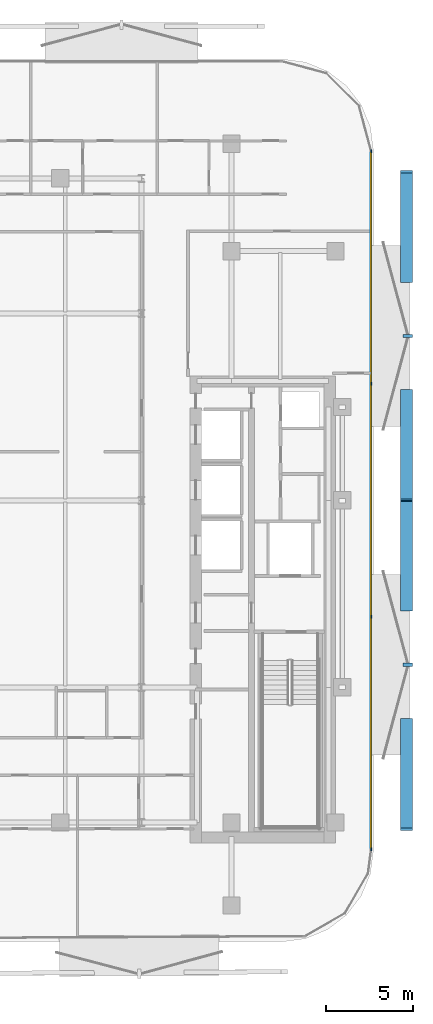
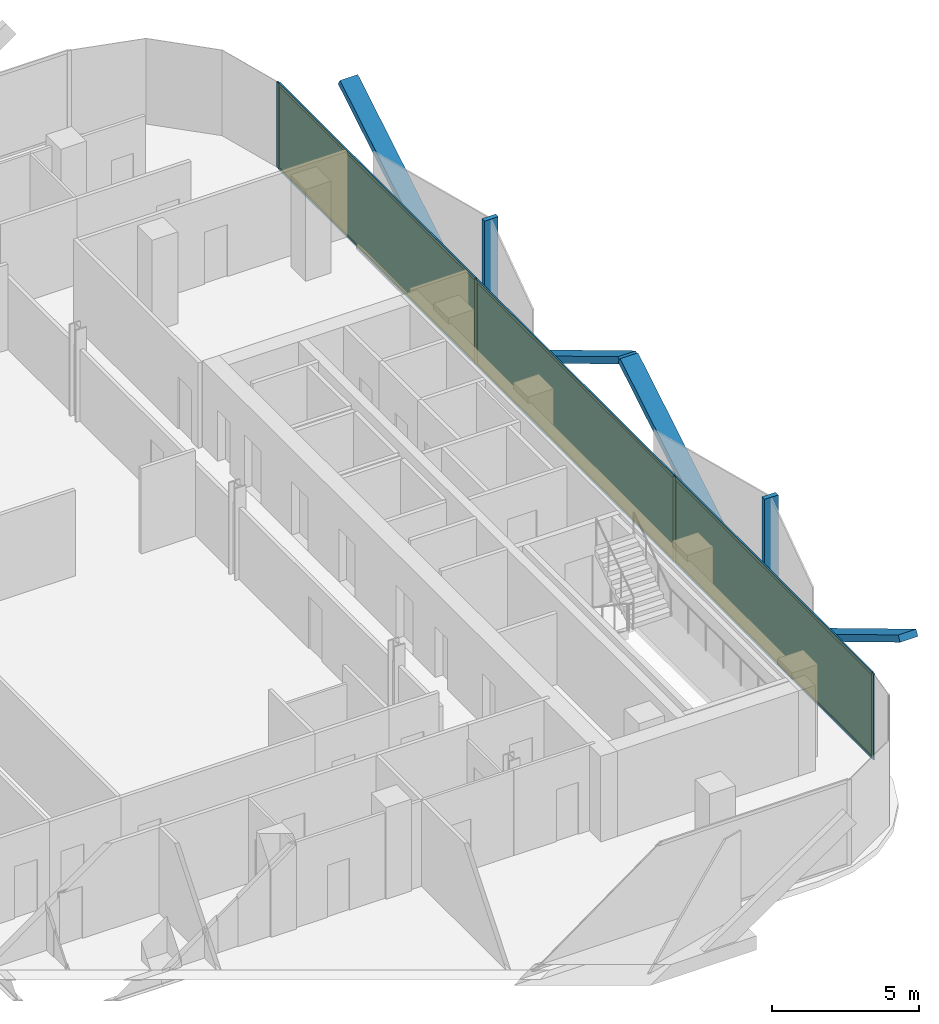
# One storey, part 11 of 17: 16 members, 3 plates, 1 curtain wall.
"""IFC4 building model written with IfcOpenShell, lengths in metres."""

from ifc_helpers import new_model, si_unit, direction, frame, frame_2d, origin, origin_2d, place, context, subcontext, project, spatial, rectangle, extrude, material, layer, layer_set, material_profile, profile_set, type_object, element, aggregate, save


model = new_model("IFC4")

# Units and contexts
model_context = context("Model", 3, precision=1e-05, world=origin(), true_north=direction((0.0, 1.0)))
body_context = subcontext(model_context, "Body", "Model", "MODEL_VIEW")
ifc_project = project(units=[si_unit("LENGTHUNIT", "METRE"), si_unit("AREAUNIT", "SQUARE_METRE"), si_unit("VOLUMEUNIT", "CUBIC_METRE"), si_unit("PLANEANGLEUNIT", "RADIAN"), si_unit("MASSUNIT", "GRAM", prefix="KILO")], contexts=[model_context])

# Member
ifc_material_1 = material(Name="Anodised Bronze Aluminium 6063-T6", Category="aluminium")
ifc_material_profile_1 = material_profile(ifc_material_1, rectangle(XDim=0.260009765625, YDim=0.699951171875, at=origin_2d()))
ifc_profile_set_1 = profile_set([ifc_material_profile_1], Name="Anodised Bronze Aluminium 6063-T6")
member_type_1 = type_object("IfcMemberType", Name="Bronze Diamond Solar-Screen Lattice Rib BDL-700", PredefinedType="MULLION", material=ifc_profile_set_1)
site_placement = place(None, origin())
building_placement = place(site_placement, origin())
storey_placement = place(building_placement, frame((0.0, 0.0, 191.60009765625)))
member_1_placement = place(storey_placement, frame((24.5, 6.330322265625, -0.130126953125), z_axis=(0.0, -0.857382035675, 0.514680527027), x_axis=(0.0, -0.514680527027, -0.857382035675)))
member_1 = element("IfcMember", 1, at=member_1_placement, type_object=member_type_1, Name="L44 Bronze Diamond Solar Screen Lattice Rib 295A", PredefinedType="MULLION", context=body_context, shape_type="SweptSolid", body=[
    extrude(rectangle(XDim=0.260009765625, YDim=0.699951171875, at=origin_2d()), origin(), (0.0, 0.0, 1.0), 7.38330078125),
])

member_2_placement = place(storey_placement, frame((24.5, 12.660400390625, -0.130126953125), z_axis=(0.0, 0.857382035675, 0.514680527027), x_axis=(0.0, 0.514680527027, -0.857382035675)))
member_2 = element("IfcMember", 2, at=member_2_placement, type_object=member_type_1, Name="L44 Bronze Diamond Solar Screen Lattice Rib 295B", PredefinedType="MULLION", context=body_context, shape_type="SweptSolid", body=[
    extrude(rectangle(XDim=0.260009765625, YDim=0.699951171875, at=origin_2d()), origin(), (0.0, 0.0, 1.0), 7.38330078125),
])

member_3_placement = place(storey_placement, frame((24.5, -12.660400390625, -0.130126953125), z_axis=(0.0, -0.857382035675, 0.514680527027), x_axis=(0.0, -0.514680527027, -0.857382035675)))
member_3 = element("IfcMember", 3, at=member_3_placement, type_object=member_type_1, Name="L44 Bronze Diamond Solar Screen Lattice Rib 296A", PredefinedType="MULLION", context=body_context, shape_type="SweptSolid", body=[
    extrude(rectangle(XDim=0.260009765625, YDim=0.699951171875, at=origin_2d()), origin(), (0.0, 0.0, 1.0), 7.38330078125),
])

member_4_placement = place(storey_placement, frame((24.5, -6.330322265625, -0.130126953125), z_axis=(0.0, 0.857382035675, 0.514680527027), x_axis=(0.0, 0.514680527027, -0.857382035675)))
member_4 = element("IfcMember", 4, at=member_4_placement, type_object=member_type_1, Name="L44 Bronze Diamond Solar Screen Lattice Rib 296B", PredefinedType="MULLION", context=body_context, shape_type="SweptSolid", body=[
    extrude(rectangle(XDim=0.260009765625, YDim=0.699951171875, at=origin_2d()), origin(), (0.0, 0.0, 1.0), 7.38330078125),
])

ifc_material_2 = material(Name="Anodised Bronze Aluminium 6063-T6", Category="aluminium")
ifc_material_profile_2 = material_profile(ifc_material_2, rectangle(XDim=0.179931640625, YDim=0.5400390625, at=origin_2d()))
ifc_profile_set_2 = profile_set([ifc_material_profile_2], Name="Anodised Bronze Aluminium 6063-T6")
member_type_2 = type_object("IfcMemberType", Name="Bronze Solar-Screen Vertical Fold Fin BSF-540", PredefinedType="MULLION", material=ifc_profile_set_2)
member_5_placement = place(storey_placement, frame((24.580078125, 9.495361328125, -0.130126953125), z_axis=(0.0, 0.0, 1.0), x_axis=(0.0, -1.0, 0.0)))
member_5 = element("IfcMember", 5, at=member_5_placement, type_object=member_type_2, Name="L44 Bronze Solar Screen Vertical Fin 295", PredefinedType="MULLION", context=body_context, shape_type="SweptSolid", body=[
    extrude(rectangle(XDim=0.179931640625, YDim=0.5400390625, at=origin_2d()), origin(), (0.0, 0.0, 1.0), 3.800048828125),
])

member_6_placement = place(storey_placement, frame((24.580078125, -9.495361328125, -0.130126953125), z_axis=(0.0, 0.0, 1.0), x_axis=(0.0, -1.0, 0.0)))
member_6 = element("IfcMember", 6, at=member_6_placement, type_object=member_type_2, Name="L44 Bronze Solar Screen Vertical Fin 296", PredefinedType="MULLION", context=body_context, shape_type="SweptSolid", body=[
    extrude(rectangle(XDim=0.179931640625, YDim=0.5400390625, at=origin_2d()), origin(), (0.0, 0.0, 1.0), 3.800048828125),
])

ifc_material_3 = material(Name="Anodised Bronze Aluminium 6063-T6", Category="aluminium")
ifc_material_profile_3 = material_profile(ifc_material_3, rectangle(XDim=0.06005859375, YDim=0.1650390625, at=origin_2d()))
ifc_profile_set_3 = profile_set([ifc_material_profile_3], Name="Anodised Bronze Aluminium 6063-T6")
member_type_3 = type_object("IfcMemberType", Name="CW-Z3 Mullion 60x165", PredefinedType="MULLION", material=ifc_profile_set_3)
member_7_placement = place(storey_placement, frame((22.4599609375, 20.160888671875, 0.0), z_axis=(0.0, 0.0, 1.0), x_axis=(1.0, 0.0, 0.0)))
member_7 = element("IfcMember", 7, at=member_7_placement, type_object=member_type_3, Name="CW-Z3 mullion 1", PredefinedType="MULLION", context=body_context, shape_type="SweptSolid", body=[
    extrude(rectangle(XDim=0.06005859375, YDim=0.1650390625, at=origin_2d()), origin(), (0.0, 0.0, 1.0), 3.539794921875),
])

member_8_placement = place(storey_placement, frame((22.4599609375, 6.730224609375, 0.0), z_axis=(0.0, 0.0, 1.0), x_axis=(1.0, 0.0, 0.0)))
member_8 = element("IfcMember", 8, at=member_8_placement, type_object=member_type_3, Name="CW-Z3 mullion 2", PredefinedType="MULLION", context=body_context, shape_type="SweptSolid", body=[
    extrude(rectangle(XDim=0.06005859375, YDim=0.1650390625, at=origin_2d()), origin(), (0.0, 0.0, 1.0), 3.539794921875),
])

member_9_placement = place(storey_placement, frame((22.4599609375, -6.730224609375, 0.0), z_axis=(0.0, 0.0, 1.0), x_axis=(1.0, 0.0, 0.0)))
member_9 = element("IfcMember", 9, at=member_9_placement, type_object=member_type_3, Name="CW-Z3 mullion 3", PredefinedType="MULLION", context=body_context, shape_type="SweptSolid", body=[
    extrude(rectangle(XDim=0.06005859375, YDim=0.1650390625, at=origin_2d()), origin(), (0.0, 0.0, 1.0), 3.539794921875),
])

member_10_placement = place(storey_placement, frame((22.4599609375, -20.160888671875, 0.0), z_axis=(0.0, 0.0, 1.0), x_axis=(1.0, 0.0, 0.0)))
member_10 = element("IfcMember", 10, at=member_10_placement, type_object=member_type_3, Name="CW-Z3 mullion 4", PredefinedType="MULLION", context=body_context, shape_type="SweptSolid", body=[
    extrude(rectangle(XDim=0.06005859375, YDim=0.1650390625, at=origin_2d()), origin(), (0.0, 0.0, 1.0), 3.539794921875),
])

ifc_material_4 = material(Name="Anodised Bronze Aluminium 6063-T6", Category="aluminium")
ifc_material_profile_4 = material_profile(ifc_material_4, rectangle(XDim=0.06005859375, YDim=0.1298828125, at=origin_2d()))
ifc_profile_set_4 = profile_set([ifc_material_profile_4], Name="Anodised Bronze Aluminium 6063-T6")
member_type_4 = type_object("IfcMemberType", Name="CW-Z3 Transom 60x130", PredefinedType="USERDEFINED", material=ifc_profile_set_4)
member_11_placement = place(storey_placement, frame((22.4599609375, 20.130859375, 0.02978515625), z_axis=(0.0, -1.0, 0.0), x_axis=(1.0, 0.0, 0.0)))
member_11 = element("IfcMember", 11, at=member_11_placement, type_object=member_type_4, Name="CW-Z3 transom 1.1", ObjectType="TRANSOM", PredefinedType="USERDEFINED", context=body_context, shape_type="SweptSolid", body=[
    extrude(rectangle(XDim=0.06005859375, YDim=0.1298828125, at=origin_2d()), origin(), (0.0, 0.0, 1.0), 13.37060546875),
])

member_12_placement = place(storey_placement, frame((22.4599609375, 20.130859375, 3.510009765625), z_axis=(0.0, -1.0, 0.0), x_axis=(1.0, 0.0, 0.0)))
member_12 = element("IfcMember", 12, at=member_12_placement, type_object=member_type_4, Name="CW-Z3 transom 1.2", ObjectType="TRANSOM", PredefinedType="USERDEFINED", context=body_context, shape_type="SweptSolid", body=[
    extrude(rectangle(XDim=0.06005859375, YDim=0.1298828125, at=origin_2d()), origin(), (0.0, 0.0, 1.0), 13.37060546875),
])

member_13_placement = place(storey_placement, frame((22.4599609375, 6.7001953125, 0.02978515625), z_axis=(0.0, -1.0, 0.0), x_axis=(1.0, 0.0, 0.0)))
member_13 = element("IfcMember", 13, at=member_13_placement, type_object=member_type_4, Name="CW-Z3 transom 2.1", ObjectType="TRANSOM", PredefinedType="USERDEFINED", context=body_context, shape_type="SweptSolid", body=[
    extrude(rectangle(XDim=0.06005859375, YDim=0.1298828125, at=origin_2d()), origin(), (0.0, 0.0, 1.0), 13.400390625),
])

member_14_placement = place(storey_placement, frame((22.4599609375, 6.7001953125, 3.510009765625), z_axis=(0.0, -1.0, 0.0), x_axis=(1.0, 0.0, 0.0)))
member_14 = element("IfcMember", 14, at=member_14_placement, type_object=member_type_4, Name="CW-Z3 transom 2.2", ObjectType="TRANSOM", PredefinedType="USERDEFINED", context=body_context, shape_type="SweptSolid", body=[
    extrude(rectangle(XDim=0.06005859375, YDim=0.1298828125, at=origin_2d()), origin(), (0.0, 0.0, 1.0), 13.400390625),
])

member_15_placement = place(storey_placement, frame((22.4599609375, -6.76025390625, 0.02978515625), z_axis=(0.0, -1.0, 0.0), x_axis=(1.0, 0.0, 0.0)))
member_15 = element("IfcMember", 15, at=member_15_placement, type_object=member_type_4, Name="CW-Z3 transom 3.1", ObjectType="TRANSOM", PredefinedType="USERDEFINED", context=body_context, shape_type="SweptSolid", body=[
    extrude(rectangle(XDim=0.06005859375, YDim=0.1298828125, at=origin_2d()), origin(), (0.0, 0.0, 1.0), 13.37060546875),
])

member_16_placement = place(storey_placement, frame((22.4599609375, -6.76025390625, 3.510009765625), z_axis=(0.0, -1.0, 0.0), x_axis=(1.0, 0.0, 0.0)))
member_16 = element("IfcMember", 16, at=member_16_placement, type_object=member_type_4, Name="CW-Z3 transom 3.2", ObjectType="TRANSOM", PredefinedType="USERDEFINED", context=body_context, shape_type="SweptSolid", body=[
    extrude(rectangle(XDim=0.06005859375, YDim=0.1298828125, at=origin_2d()), origin(), (0.0, 0.0, 1.0), 13.37060546875),
])

# Plate
ifc_material_5 = material(Name="Low-E Solar Control Laminated Glass", Category="glass")
ifc_layer_1 = layer(ifc_material_5, 0.030029296875, Name="Low-E Solar Control Laminated Glass")
ifc_layer_set_1 = layer_set([ifc_layer_1], Name="Low-E Solar Control Laminated Glass")
plate_type = type_object("IfcPlateType", Name="CW-Z3 Low-E Double Glazed Panel 30mm", PredefinedType="CURTAIN_PANEL", material=ifc_layer_set_1)
plate_1_placement = place(storey_placement, frame((22.4599609375, 13.445556640625, 0.06005859375), z_axis=(0.0, 0.0, 1.0), x_axis=(0.0, -1.0, 0.0)))
plate_1 = element("IfcPlate", 17, at=plate_1_placement, type_object=plate_type, Name="CW-Z3 panel 1.1", PredefinedType="CURTAIN_PANEL", context=body_context, shape_type="SweptSolid", body=[
    extrude(rectangle(XDim=13.37060546875, YDim=0.030029296875, at=origin_2d()), origin(), (0.0, 0.0, 1.0), 3.419921875),
])

plate_2_placement = place(storey_placement, frame((22.4599609375, 0.0, 0.06005859375), z_axis=(0.0, 0.0, 1.0), x_axis=(0.0, -1.0, 0.0)))
plate_2 = element("IfcPlate", 18, at=plate_2_placement, type_object=plate_type, Name="CW-Z3 panel 2.1", PredefinedType="CURTAIN_PANEL", context=body_context, shape_type="SweptSolid", body=[
    extrude(rectangle(XDim=13.400634765625, YDim=0.030029296875, at=origin_2d()), origin(), (0.0, 0.0, 1.0), 3.419921875),
])

plate_3_placement = place(storey_placement, frame((22.4599609375, -13.445556640625, 0.06005859375), z_axis=(0.0, 0.0, 1.0), x_axis=(0.0, -1.0, 0.0)))
plate_3 = element("IfcPlate", 19, at=plate_3_placement, type_object=plate_type, Name="CW-Z3 panel 3.1", PredefinedType="CURTAIN_PANEL", context=body_context, shape_type="SweptSolid", body=[
    extrude(rectangle(XDim=13.37060546875, YDim=0.030029296875, at=origin_2d()), origin(), (0.0, 0.0, 1.0), 3.419921875),
])

# Site, building, storey
site = spatial("IfcSite", under=ifc_project, at=site_placement, CompositionType="ELEMENT")
building = spatial("IfcBuilding", under=site, at=building_placement, Name="Khairoan Windgate Tower", CompositionType="ELEMENT")
storey = spatial("IfcBuildingStorey", under=building, at=storey_placement, Name="L44", CompositionType="ELEMENT", Elevation=191.60009765625)

# Curtain wall
ifc_material_6 = material(Name="Anodised Bronze Aluminium 6063-T6", Category="aluminium")
ifc_layer_2 = layer(ifc_material_6, 0.1650390625, Name="Anodised Bronze Aluminium 6063-T6")
ifc_layer_set_2 = layer_set([ifc_layer_2], Name="Anodised Bronze Aluminium 6063-T6")
curtain_wall_type = type_object("IfcCurtainWallType", Name="Luxury Hotel Acoustic Curtain Wall CW-Z3", PredefinedType="NOTDEFINED", material=ifc_layer_set_2)
curtain_wall_placement = place(storey_placement, frame((22.4599609375, 20.19091796875, 0.0), z_axis=(0.0, 0.0, 1.0), x_axis=(0.0, -1.0, 0.0)))
curtain_wall = element("IfcCurtainWall", 20, at=curtain_wall_placement, inside=storey, type_object=curtain_wall_type, Name="L44 Unitised Curtain Wall 13", PredefinedType="NOTDEFINED", context=body_context, shape_type="SweptSolid", body=[
    extrude(rectangle(XDim=40.3818359375, YDim=0.010009765625, at=frame_2d((20.19091796875, 0.0))), origin(), (0.0, 0.0, 1.0), 3.539794921875),
])

aggregate(curtain_wall, [member_7, member_8, member_9, member_10, member_11, member_12, plate_1, member_13, member_14, plate_2, member_15, member_16, plate_3, member_1, member_2, member_5, member_3, member_4, member_6])

save(model, "model.ifc")
